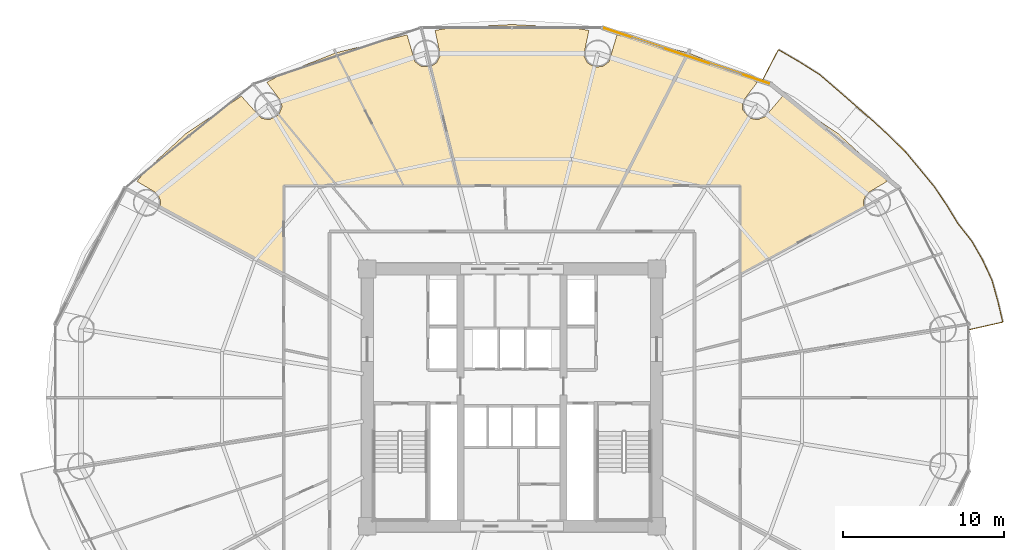
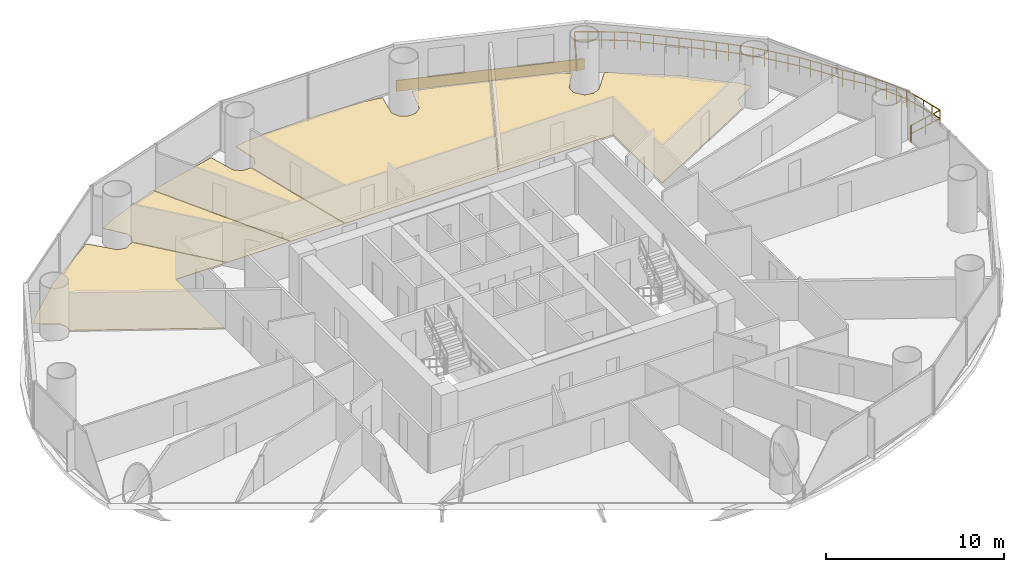
# One storey, part 29 of 29: 6 coverings, 1 railing.
"""IFC4 building model written with IfcOpenShell, lengths in metres."""

from ifc_helpers import new_model, si_unit, direction, frame, origin, origin_2d, place, context, subcontext, project, spatial, polyline, rectangle, outline, extrude, source, transform, mapped, material, layer, layer_set, type_object, element, save


model = new_model("IFC4")

# Units and contexts
model_context = context("Model", 3, precision=1e-05, world=origin(), true_north=direction((-0.2419218956, 0.970295726276)))
body_context = subcontext(model_context, "Body", "Model", "MODEL_VIEW")
ifc_project = project(units=[si_unit("LENGTHUNIT", "METRE"), si_unit("AREAUNIT", "SQUARE_METRE"), si_unit("VOLUMEUNIT", "CUBIC_METRE"), si_unit("PLANEANGLEUNIT", "RADIAN"), si_unit("MASSUNIT", "GRAM", prefix="KILO")], contexts=[model_context])

# Site, building, storey
site_placement = place(None, origin())
site = spatial("IfcSite", under=ifc_project, at=site_placement, CompositionType="ELEMENT")
building_placement = place(site_placement, origin())
building = spatial("IfcBuilding", under=site, at=building_placement, Name="Cobrevalo Terracotta Tower", CompositionType="ELEMENT")
storey_placement = place(building_placement, frame((0.0, 0.0, 45.60009765625)))
storey = spatial("IfcBuildingStorey", under=building, at=storey_placement, Name="L11", CompositionType="ELEMENT", Elevation=45.60009765625)

# Railing
ifc_material_1 = material(Name="Laminated structural glass and stainless steel", Category="steel")
railing_type = type_object("IfcRailingType", Name="Balcony lobe structural glass & terracotta-cap balustrade 1180 mm", PredefinedType="BALUSTRADE", material=ifc_material_1)
railing_placement = place(storey_placement, frame((66.37890625, 31.01123046875, 0.0)))
element("IfcRailing", 1, at=railing_placement, inside=storey, type_object=railing_type, Name="L11 spiralling balcony lobe balustrade 1", PredefinedType="BALUSTRADE", context=body_context, shape_type="SweptSolid", body=[
    extrude(rectangle(XDim=0.048095703125, YDim=0.048095703125, at=origin_2d()), frame((0.0, 0.0, 1.15576171875), z_axis=(0.975433352205, 0.220294746662, 0.0), x_axis=(-0.220294746662, 0.975433352205, 0.0)), (0.0, 0.0, 1.0), 2.212158203125),
    extrude(rectangle(XDim=0.048095703125, YDim=0.048095703125, at=origin_2d()), frame((0.0, 0.0, 0.58984375), z_axis=(0.975433352205, 0.220294746662, 0.0), x_axis=(-0.220294746662, 0.975433352205, 0.0)), (0.0, 0.0, 1.0), 2.212158203125),
    extrude(rectangle(XDim=0.048095703125, YDim=0.048095703125, at=origin_2d()), frame((2.15771484375, 0.4873046875, 1.15576171875), z_axis=(-0.229059503109, 0.973412422376, 0.0), x_axis=(-0.973412422376, -0.229059503109, 0.0)), (0.0, 0.0, 1.0), 1.349365234375),
    extrude(rectangle(XDim=0.048095703125, YDim=0.048095703125, at=origin_2d()), frame((2.15771484375, 0.4873046875, 0.58984375), z_axis=(-0.229059503109, 0.973412422376, 0.0), x_axis=(-0.973412422376, -0.229059503109, 0.0)), (0.0, 0.0, 1.0), 1.349365234375),
    extrude(rectangle(XDim=0.048095703125, YDim=0.048095703125, at=origin_2d()), frame((1.8486328125, 1.80078125, 1.15576171875), z_axis=(-0.271460165022, 0.962449675986, 0.0), x_axis=(-0.962449675986, -0.271460165022, 0.0)), (0.0, 0.0, 1.0), 1.355224609375),
    extrude(rectangle(XDim=0.048095703125, YDim=0.048095703125, at=origin_2d()), frame((1.8486328125, 1.80078125, 0.58984375), z_axis=(-0.271460165022, 0.962449675986, 0.0), x_axis=(-0.962449675986, -0.271460165022, 0.0)), (0.0, 0.0, 1.0), 1.355224609375),
    extrude(rectangle(XDim=0.048095703125, YDim=0.048095703125, at=origin_2d()), frame((1.480712890625, 3.105224609375, 1.15576171875), z_axis=(-0.420707968198, 0.907196122949, 0.0), x_axis=(-0.907196122949, -0.420707968198, 0.0)), (0.0, 0.0, 1.0), 1.36962890625),
    extrude(rectangle(XDim=0.048095703125, YDim=0.048095703125, at=origin_2d()), frame((1.480712890625, 3.105224609375, 0.58984375), z_axis=(-0.420707968198, 0.907196122949, 0.0), x_axis=(-0.907196122949, -0.420707968198, 0.0)), (0.0, 0.0, 1.0), 1.36962890625),
    extrude(rectangle(XDim=0.048095703125, YDim=0.048095703125, at=origin_2d()), frame((0.904541015625, 4.34765625, 1.15576171875), z_axis=(-0.497430846303, 0.86750363293, 0.0), x_axis=(-0.86750363293, -0.497430846303, 0.0)), (0.0, 0.0, 1.0), 1.363037109375),
    extrude(rectangle(XDim=0.048095703125, YDim=0.048095703125, at=origin_2d()), frame((0.904541015625, 4.34765625, 0.58984375), z_axis=(-0.497430846303, 0.86750363293, 0.0), x_axis=(-0.86750363293, -0.497430846303, 0.0)), (0.0, 0.0, 1.0), 1.363037109375),
    extrude(rectangle(XDim=0.048095703125, YDim=0.048095703125, at=origin_2d()), frame((0.2265625, 5.530029296875, 1.15576171875), z_axis=(-0.618783505891, 0.785561565275, 0.0), x_axis=(-0.785561565275, -0.618783505891, 0.0)), (0.0, 0.0, 1.0), 1.38916015625),
    extrude(rectangle(XDim=0.048095703125, YDim=0.048095703125, at=origin_2d()), frame((0.2265625, 5.530029296875, 0.58984375), z_axis=(-0.618783505891, 0.785561565275, 0.0), x_axis=(-0.785561565275, -0.618783505891, 0.0)), (0.0, 0.0, 1.0), 1.38916015625),
    extrude(rectangle(XDim=0.048095703125, YDim=0.048095703125, at=origin_2d()), frame((-0.633056640625, 6.621337890625, 1.15576171875), z_axis=(-0.520473994388, 0.853877521174, 0.0), x_axis=(-0.853877521174, -0.520473994388, 0.0)), (0.0, 0.0, 1.0), 1.366455078125),
    extrude(rectangle(XDim=0.048095703125, YDim=0.048095703125, at=origin_2d()), frame((-0.633056640625, 6.621337890625, 0.58984375), z_axis=(-0.520473994388, 0.853877521174, 0.0), x_axis=(-0.853877521174, -0.520473994388, 0.0)), (0.0, 0.0, 1.0), 1.366455078125),
    extrude(rectangle(XDim=0.048095703125, YDim=0.048095703125, at=origin_2d()), frame((-1.34423828125, 7.7880859375, 1.15576171875), z_axis=(-0.560435011045, 0.828198405211, 0.0), x_axis=(-0.828198405211, -0.560435011045, 0.0)), (0.0, 0.0, 1.0), 1.372314453125),
    extrude(rectangle(XDim=0.048095703125, YDim=0.048095703125, at=origin_2d()), frame((-1.34423828125, 7.7880859375, 0.58984375), z_axis=(-0.560435011045, 0.828198405211, 0.0), x_axis=(-0.828198405211, -0.560435011045, 0.0)), (0.0, 0.0, 1.0), 1.372314453125),
    extrude(rectangle(XDim=0.048095703125, YDim=0.048095703125, at=origin_2d()), frame((-2.11328125, 8.924560546875, 1.15576171875), z_axis=(-0.63528400384, 0.772278598995, 0.0), x_axis=(-0.772278598995, -0.63528400384, 0.0)), (0.0, 0.0, 1.0), 1.3955078125),
    extrude(rectangle(XDim=0.048095703125, YDim=0.048095703125, at=origin_2d()), frame((-2.11328125, 8.924560546875, 0.58984375), z_axis=(-0.63528400384, 0.772278598995, 0.0), x_axis=(-0.772278598995, -0.63528400384, 0.0)), (0.0, 0.0, 1.0), 1.3955078125),
    extrude(rectangle(XDim=0.048095703125, YDim=0.048095703125, at=origin_2d()), frame((-2.999755859375, 10.002197265625, 1.15576171875), z_axis=(-0.638148464298, 0.769913331171, 0.0), x_axis=(-0.769913331171, -0.638148464298, 0.0)), (0.0, 0.0, 1.0), 1.393310546875),
    extrude(rectangle(XDim=0.048095703125, YDim=0.048095703125, at=origin_2d()), frame((-2.999755859375, 10.002197265625, 0.58984375), z_axis=(-0.638148464298, 0.769913331171, 0.0), x_axis=(-0.769913331171, -0.638148464298, 0.0)), (0.0, 0.0, 1.0), 1.393310546875),
    extrude(rectangle(XDim=0.048095703125, YDim=0.048095703125, at=origin_2d()), frame((-3.888916015625, 11.074951171875, 1.15576171875), z_axis=(-0.712513804435, 0.7016580923, 0.0), x_axis=(-0.7016580923, -0.712513804435, 0.0)), (0.0, 0.0, 1.0), 1.416748046875),
    extrude(rectangle(XDim=0.048095703125, YDim=0.048095703125, at=origin_2d()), frame((-3.888916015625, 11.074951171875, 0.58984375), z_axis=(-0.712513804435, 0.7016580923, 0.0), x_axis=(-0.7016580923, -0.712513804435, 0.0)), (0.0, 0.0, 1.0), 1.416748046875),
    extrude(rectangle(XDim=0.048095703125, YDim=0.048095703125, at=origin_2d()), frame((-4.8984375, 12.069091796875, 1.15576171875), z_axis=(-0.734803444627, 0.678280102733, 0.0), x_axis=(-0.678280102733, -0.734803444627, 0.0)), (0.0, 0.0, 1.0), 1.42529296875),
    extrude(rectangle(XDim=0.048095703125, YDim=0.048095703125, at=origin_2d()), frame((-4.8984375, 12.069091796875, 0.58984375), z_axis=(-0.734803444627, 0.678280102733, 0.0), x_axis=(-0.678280102733, -0.734803444627, 0.0)), (0.0, 0.0, 1.0), 1.42529296875),
    extrude(rectangle(XDim=0.048095703125, YDim=0.048095703125, at=origin_2d()), frame((-5.94580078125, 13.035888671875, 1.15576171875), z_axis=(-0.754509899341, 0.656288664992, 0.0), x_axis=(-0.656288664992, -0.754509899341, 0.0)), (0.0, 0.0, 1.0), 1.42919921875),
    extrude(rectangle(XDim=0.048095703125, YDim=0.048095703125, at=origin_2d()), frame((-5.94580078125, 13.035888671875, 0.58984375), z_axis=(-0.754509899341, 0.656288664992, 0.0), x_axis=(-0.656288664992, -0.754509899341, 0.0)), (0.0, 0.0, 1.0), 1.42919921875),
    extrude(rectangle(XDim=0.048095703125, YDim=0.048095703125, at=origin_2d()), frame((-7.024169921875, 13.973876953125, 1.15576171875), z_axis=(-0.752865784172, 0.658174073497, 0.0), x_axis=(-0.658174073497, -0.752865784172, 0.0)), (0.0, 0.0, 1.0), 1.46435546875),
    extrude(rectangle(XDim=0.048095703125, YDim=0.048095703125, at=origin_2d()), frame((-7.024169921875, 13.973876953125, 0.58984375), z_axis=(-0.752865784172, 0.658174073497, 0.0), x_axis=(-0.658174073497, -0.752865784172, 0.0)), (0.0, 0.0, 1.0), 1.46435546875),
    extrude(rectangle(XDim=0.048095703125, YDim=0.048095703125, at=origin_2d()), frame((-8.126708984375, 14.937744140625, 1.15576171875), z_axis=(-0.758917740398, 0.651186504244, 0.0), x_axis=(-0.651186504244, -0.758917740398, 0.0)), (0.0, 0.0, 1.0), 1.475341796875),
    extrude(rectangle(XDim=0.048095703125, YDim=0.048095703125, at=origin_2d()), frame((-8.126708984375, 14.937744140625, 0.58984375), z_axis=(-0.758917740398, 0.651186504244, 0.0), x_axis=(-0.651186504244, -0.758917740398, 0.0)), (0.0, 0.0, 1.0), 1.475341796875),
    extrude(rectangle(XDim=0.048095703125, YDim=0.048095703125, at=origin_2d()), frame((-9.246337890625, 15.8984375, 1.15576171875), z_axis=(-0.846659769361, 0.532134602281, 0.0), x_axis=(-0.532134602281, -0.846659769361, 0.0)), (0.0, 0.0, 1.0), 1.48876953125),
    extrude(rectangle(XDim=0.048095703125, YDim=0.048095703125, at=origin_2d()), frame((-9.246337890625, 15.8984375, 0.58984375), z_axis=(-0.846659769361, 0.532134602281, 0.0), x_axis=(-0.532134602281, -0.846659769361, 0.0)), (0.0, 0.0, 1.0), 1.48876953125),
    extrude(rectangle(XDim=0.048095703125, YDim=0.048095703125, at=origin_2d()), frame((-10.5068359375, 16.690673828125, 1.15576171875), z_axis=(-0.864520318382, 0.502597870175, 0.0), x_axis=(-0.502597870175, -0.864520318382, 0.0)), (0.0, 0.0, 1.0), 1.5029296875),
    extrude(rectangle(XDim=0.048095703125, YDim=0.048095703125, at=origin_2d()), frame((-10.5068359375, 16.690673828125, 0.58984375), z_axis=(-0.864520318382, 0.502597870175, 0.0), x_axis=(-0.502597870175, -0.864520318382, 0.0)), (0.0, 0.0, 1.0), 1.5029296875),
    extrude(rectangle(XDim=0.048095703125, YDim=0.048095703125, at=origin_2d()), frame((-11.80615234375, 17.446044921875, 1.15576171875), z_axis=(-0.46090338735, -0.887450318344, 0.0), x_axis=(0.887450318344, -0.46090338735, 0.0)), (0.0, 0.0, 1.0), 2.22412109375),
    extrude(rectangle(XDim=0.048095703125, YDim=0.048095703125, at=origin_2d()), frame((-11.80615234375, 17.446044921875, 0.58984375), z_axis=(-0.46090338735, -0.887450318344, 0.0), x_axis=(0.887450318344, -0.46090338735, 0.0)), (0.0, 0.0, 1.0), 2.22412109375),
    extrude(rectangle(XDim=0.0419921875, YDim=0.0419921875, at=origin_2d()), origin(), (0.0, 0.0, 1.0), 1.1318359375),
    extrude(rectangle(XDim=0.0419921875, YDim=0.0419921875, at=origin_2d()), frame((1.078857421875, 0.24365234375, 0.0)), (0.0, 0.0, 1.0), 1.1318359375),
    extrude(rectangle(XDim=0.0419921875, YDim=0.0419921875, at=origin_2d()), frame((2.15771484375, 0.4873046875, 0.0)), (0.0, 0.0, 1.0), 1.1318359375),
    extrude(rectangle(XDim=0.0419921875, YDim=0.0419921875, at=origin_2d()), frame((2.003173828125, 1.14404296875, 0.0)), (0.0, 0.0, 1.0), 1.1318359375),
    extrude(rectangle(XDim=0.0419921875, YDim=0.0419921875, at=origin_2d()), frame((1.8486328125, 1.80078125, 0.0)), (0.0, 0.0, 1.0), 1.1318359375),
    extrude(rectangle(XDim=0.0419921875, YDim=0.0419921875, at=origin_2d()), frame((1.66455078125, 2.453125, 0.0)), (0.0, 0.0, 1.0), 1.1318359375),
    extrude(rectangle(XDim=0.0419921875, YDim=0.0419921875, at=origin_2d()), frame((1.480712890625, 3.105224609375, 0.0)), (0.0, 0.0, 1.0), 1.1318359375),
    extrude(rectangle(XDim=0.0419921875, YDim=0.0419921875, at=origin_2d()), frame((1.192626953125, 3.7265625, 0.0)), (0.0, 0.0, 1.0), 1.1318359375),
    extrude(rectangle(XDim=0.0419921875, YDim=0.0419921875, at=origin_2d()), frame((0.904541015625, 4.34765625, 0.0)), (0.0, 0.0, 1.0), 1.1318359375),
    extrude(rectangle(XDim=0.0419921875, YDim=0.0419921875, at=origin_2d()), frame((0.5654296875, 4.93896484375, 0.0)), (0.0, 0.0, 1.0), 1.1318359375),
    extrude(rectangle(XDim=0.0419921875, YDim=0.0419921875, at=origin_2d()), frame((0.2265625, 5.530029296875, 0.0)), (0.0, 0.0, 1.0), 1.1318359375),
    extrude(rectangle(XDim=0.0419921875, YDim=0.0419921875, at=origin_2d()), frame((-0.203125, 6.07568359375, 0.0)), (0.0, 0.0, 1.0), 1.1318359375),
    extrude(rectangle(XDim=0.0419921875, YDim=0.0419921875, at=origin_2d()), frame((-0.633056640625, 6.621337890625, 0.0)), (0.0, 0.0, 1.0), 1.1318359375),
    extrude(rectangle(XDim=0.0419921875, YDim=0.0419921875, at=origin_2d()), frame((-0.98876953125, 7.20458984375, 0.0)), (0.0, 0.0, 1.0), 1.1318359375),
    extrude(rectangle(XDim=0.0419921875, YDim=0.0419921875, at=origin_2d()), frame((-1.34423828125, 7.7880859375, 0.0)), (0.0, 0.0, 1.0), 1.1318359375),
    extrude(rectangle(XDim=0.0419921875, YDim=0.0419921875, at=origin_2d()), frame((-1.728759765625, 8.3564453125, 0.0)), (0.0, 0.0, 1.0), 1.1318359375),
    extrude(rectangle(XDim=0.0419921875, YDim=0.0419921875, at=origin_2d()), frame((-2.11328125, 8.924560546875, 0.0)), (0.0, 0.0, 1.0), 1.1318359375),
    extrude(rectangle(XDim=0.0419921875, YDim=0.0419921875, at=origin_2d()), frame((-2.556640625, 9.46337890625, 0.0)), (0.0, 0.0, 1.0), 1.1318359375),
    extrude(rectangle(XDim=0.0419921875, YDim=0.0419921875, at=origin_2d()), frame((-2.999755859375, 10.002197265625, 0.0)), (0.0, 0.0, 1.0), 1.1318359375),
    extrude(rectangle(XDim=0.0419921875, YDim=0.0419921875, at=origin_2d()), frame((-3.4443359375, 10.53857421875, 0.0)), (0.0, 0.0, 1.0), 1.1318359375),
    extrude(rectangle(XDim=0.0419921875, YDim=0.0419921875, at=origin_2d()), frame((-3.888916015625, 11.074951171875, 0.0)), (0.0, 0.0, 1.0), 1.1318359375),
    extrude(rectangle(XDim=0.0419921875, YDim=0.0419921875, at=origin_2d()), frame((-4.3935546875, 11.572021484375, 0.0)), (0.0, 0.0, 1.0), 1.1318359375),
    extrude(rectangle(XDim=0.0419921875, YDim=0.0419921875, at=origin_2d()), frame((-4.8984375, 12.069091796875, 0.0)), (0.0, 0.0, 1.0), 1.1318359375),
    extrude(rectangle(XDim=0.0419921875, YDim=0.0419921875, at=origin_2d()), frame((-5.422119140625, 12.552490234375, 0.0)), (0.0, 0.0, 1.0), 1.1318359375),
    extrude(rectangle(XDim=0.0419921875, YDim=0.0419921875, at=origin_2d()), frame((-5.94580078125, 13.035888671875, 0.0)), (0.0, 0.0, 1.0), 1.1318359375),
    extrude(rectangle(XDim=0.0419921875, YDim=0.0419921875, at=origin_2d()), frame((-6.48486328125, 13.5048828125, 0.0)), (0.0, 0.0, 1.0), 1.1318359375),
    extrude(rectangle(XDim=0.0419921875, YDim=0.0419921875, at=origin_2d()), frame((-7.024169921875, 13.973876953125, 0.0)), (0.0, 0.0, 1.0), 1.1318359375),
    extrude(rectangle(XDim=0.0419921875, YDim=0.0419921875, at=origin_2d()), frame((-7.575439453125, 14.455810546875, 0.0)), (0.0, 0.0, 1.0), 1.1318359375),
    extrude(rectangle(XDim=0.0419921875, YDim=0.0419921875, at=origin_2d()), frame((-8.126708984375, 14.937744140625, 0.0)), (0.0, 0.0, 1.0), 1.1318359375),
    extrude(rectangle(XDim=0.0419921875, YDim=0.0419921875, at=origin_2d()), frame((-8.6865234375, 15.41796875, 0.0)), (0.0, 0.0, 1.0), 1.1318359375),
    extrude(rectangle(XDim=0.0419921875, YDim=0.0419921875, at=origin_2d()), frame((-9.246337890625, 15.8984375, 0.0)), (0.0, 0.0, 1.0), 1.1318359375),
    extrude(rectangle(XDim=0.0419921875, YDim=0.0419921875, at=origin_2d()), frame((-9.87646484375, 16.29443359375, 0.0)), (0.0, 0.0, 1.0), 1.1318359375),
    extrude(rectangle(XDim=0.0419921875, YDim=0.0419921875, at=origin_2d()), frame((-10.5068359375, 16.690673828125, 0.0)), (0.0, 0.0, 1.0), 1.1318359375),
    extrude(rectangle(XDim=0.0419921875, YDim=0.0419921875, at=origin_2d()), frame((-11.156494140625, 17.068359375, 0.0)), (0.0, 0.0, 1.0), 1.1318359375),
    extrude(rectangle(XDim=0.0419921875, YDim=0.0419921875, at=origin_2d()), frame((-11.80615234375, 17.446044921875, 0.0)), (0.0, 0.0, 1.0), 1.1318359375),
    extrude(rectangle(XDim=0.0419921875, YDim=0.0419921875, at=origin_2d()), frame((-12.31884765625, 16.458984375, 0.0)), (0.0, 0.0, 1.0), 1.1318359375),
    extrude(rectangle(XDim=0.0419921875, YDim=0.0419921875, at=origin_2d()), frame((-12.831298828125, 15.47216796875, 0.0)), (0.0, 0.0, 1.0), 1.1318359375),
])

# Coverings
ifc_material_2 = material(Name="Engineered Brazilian hardwood flooring", Category="wood")
ifc_layer_1 = layer(ifc_material_2, 0.028076171875)
ifc_layer_set_1 = layer_set([ifc_layer_1], Name="Engineered Brazilian hardwood flooring")
covering_type_1 = type_object("IfcCoveringType", Name="Engineered Hardwood Suite Flooring 28", PredefinedType="FLOORING", material=ifc_layer_set_1)
covering_1_placement = place(storey_placement, origin())
element("IfcCovering", 2, at=covering_1_placement, inside=storey, type_object=covering_type_1, Name="Flat L11A Penthouse Family Lounge floor finish", PredefinedType="FLOORING", context=body_context, shape_type="SweptSolid", body=[
    extrude(outline(polyline([(44.77734375, 40.014892578125), (48.9873046875, 48.251220703125), (52.361572265625, 46.908203125), (53.26318359375, 46.421142578125), (52.35498046875, 45.23095703125), (52.350341796875, 44.719970703125), (52.772705078125, 44.1953125), (53.27294921875, 44.091064453125), (53.746826171875, 44.2822265625), (54.843505859375, 45.567138671875), (58.3095703125, 43.217529296875), (60.786376953125, 40.933837890625), (61.34423828125, 40.2587890625), (60.060791015625, 39.497802734375), (59.864990234375, 39.02587890625), (59.90234375, 38.681884765625), (52.215087890625, 34.51953125), (52.215087890625, 40.014892578125), (44.77734375, 40.014892578125)])), origin(), (0.0, 0.0, 1.0), 0.02978515625),
])
covering_2_placement = place(storey_placement, origin())
element("IfcCovering", 3, at=covering_2_placement, inside=storey, type_object=covering_type_1, Name="Flat L11B Penthouse Living and Dining Room floor finish", PredefinedType="FLOORING", context=body_context, shape_type="SweptSolid", body=[
    extrude(outline(polyline([(38.0, 50.02001953125), (41.749267578125, 49.8212890625), (42.78369140625, 49.65478515625), (42.46533203125, 48.099853515625), (42.6845703125, 47.63818359375), (43.123046875, 47.376220703125), (43.63330078125, 47.40185546875), (44.04345703125, 47.706787109375), (44.527587890625, 49.37451171875), (48.948974609375, 48.263671875), (44.732421875, 40.014892578125), (34.77685546875, 40.014892578125), (32.96240234375, 47.406494140625), (33.3154296875, 47.63818359375), (33.53466796875, 48.099853515625), (33.21630859375, 49.65478515625), (34.250732421875, 49.8212890625), (38.0, 50.02001953125)])), origin(), (0.0, 0.0, 1.0), 0.02978515625),
])
covering_3_placement = place(storey_placement, origin())
element("IfcCovering", 4, at=covering_3_placement, inside=storey, type_object=covering_type_1, Name="Flat L11B Master Bedroom floor finish", PredefinedType="FLOORING", context=body_context, shape_type="SweptSolid", body=[
    extrude(outline(polyline([(31.472412109375, 49.37451171875), (31.95654296875, 47.706787109375), (32.36669921875, 47.40185546875), (32.924560546875, 47.39306640625), (34.735595703125, 40.014892578125), (31.267578125, 40.014892578125), (27.051025390625, 48.263671875), (31.472412109375, 49.37451171875)])), origin(), (0.0, 0.0, 1.0), 0.02978515625),
])
covering_4_placement = place(storey_placement, origin())
element("IfcCovering", 5, at=covering_4_placement, inside=storey, type_object=covering_type_1, Name="Flat L11B Principal Guest Bedroom floor finish", PredefinedType="FLOORING", context=body_context, shape_type="SweptSolid", body=[
    extrude(outline(polyline([(23.4951171875, 44.42236328125), (23.681884765625, 44.889404296875), (23.64501953125, 45.23095703125), (22.73681640625, 46.421142578125), (23.638427734375, 46.908203125), (27.0126953125, 48.251220703125), (31.22265625, 40.014892578125), (27.12939453125, 40.014892578125), (23.4951171875, 44.42236328125)])), origin(), (0.0, 0.0, 1.0), 0.02978515625),
])
covering_5_placement = place(storey_placement, origin())
element("IfcCovering", 6, at=covering_5_placement, inside=storey, type_object=covering_type_1, Name="Flat L11B Penthouse Family Lounge floor finish", PredefinedType="FLOORING", context=body_context, shape_type="SweptSolid", body=[
    extrude(outline(polyline([(21.156494140625, 45.567138671875), (22.3974609375, 44.1875), (22.899658203125, 44.092529296875), (23.468017578125, 44.392578125), (27.077392578125, 40.014892578125), (23.784912109375, 40.014892578125), (23.784912109375, 34.51953125), (16.09765625, 38.681884765625), (16.135009765625, 39.02587890625), (15.939208984375, 39.497802734375), (14.65576171875, 40.2587890625), (15.213623046875, 40.933837890625), (17.6904296875, 43.217529296875), (21.156494140625, 45.567138671875)])), origin(), (0.0, 0.0, 1.0), 0.02978515625),
])
ifc_material_3 = material(Name="Glazed terracotta facade cladding tile", Category="masonry")
ifc_layer_2 = layer(ifc_material_3, 0.044921875)
ifc_layer_set_2 = layer_set([ifc_layer_2], Name="Glazed terracotta facade cladding tile")
covering_type_2 = type_object("IfcCoveringType", Name="Architectural terracotta rainscreen spandrel cladding 45 mm", PredefinedType="CLADDING", material=ifc_layer_set_2)
shared_shape = source(origin(), body_context, "Body", "SweptSolid", [
    extrude(rectangle(XDim=10.8154296875, YDim=0.044921875, at=origin_2d()), origin(), (0.0, 0.0, 1.0), 0.760009765625),
])
covering_6_placement = place(storey_placement, frame((48.873291015625, 48.06689453125, 0.0400390625), z_axis=(0.0, 0.0, 1.0), x_axis=(-0.948044172593, 0.318138722592, 0.0)))
element("IfcCovering", 7, at=covering_6_placement, inside=storey, type_object=covering_type_2, Name="L11 terracotta spandrel cladding S03", PredefinedType="CLADDING", context=body_context, shape_type="MappedRepresentation", body=[
    mapped(shared_shape, transform((0.0, 0.0, 0.0), scale=1.0)),
])

save(model, "model.ifc")
